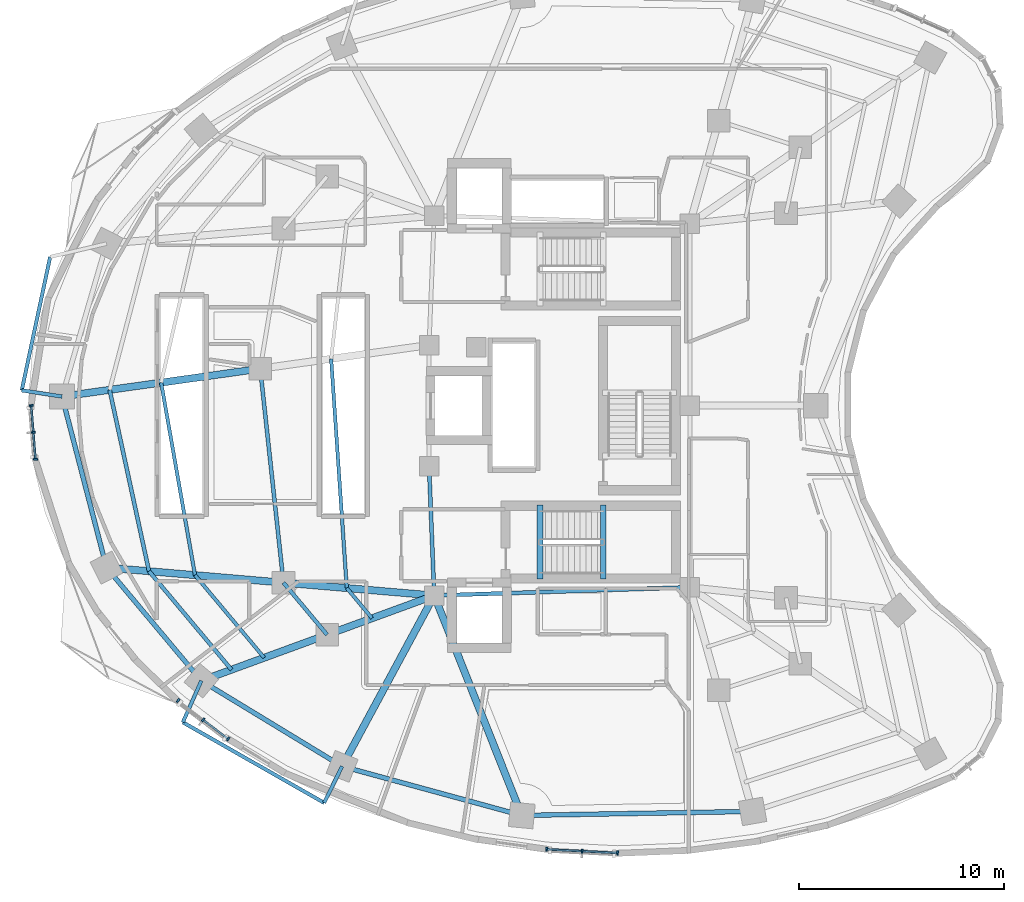
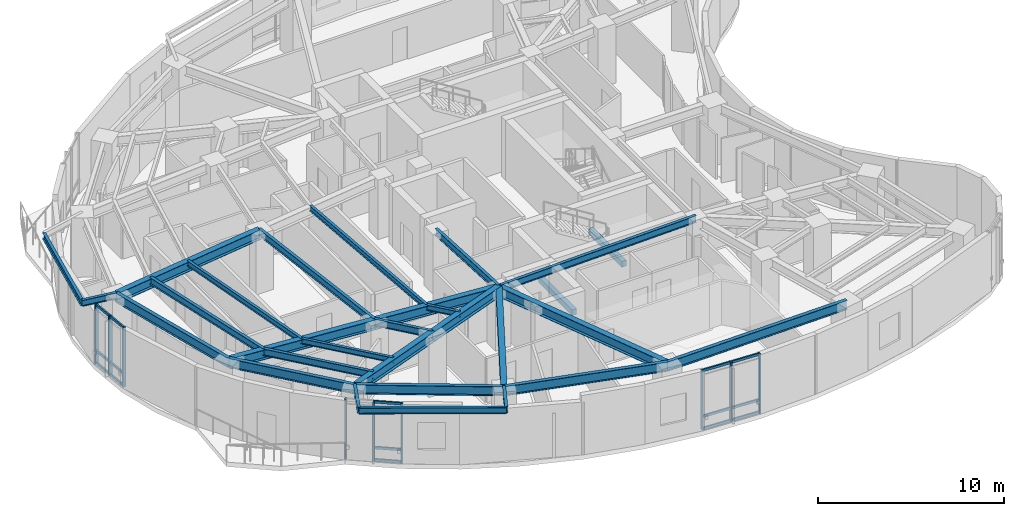
# One storey, part 2 of 15: 29 beams, 24 members, 3 elements without a shape of their own.
"""IFC4 building model written with IfcOpenShell, lengths in metres."""

from ifc_helpers import new_model, si_unit, direction, frame, origin, origin_2d, place, context, subcontext, project, spatial, rectangle, i_section, extrude, material, layer, layer_set, material_profile, profile_set, type_object, element, aggregate, save


model = new_model("IFC4")

# Units and contexts
model_context = context("Model", 3, precision=1e-05, world=origin(), true_north=direction((0.0, 1.0)))
body_context = subcontext(model_context, "Body", "Model", "MODEL_VIEW")
ifc_project = project(units=[si_unit("LENGTHUNIT", "METRE"), si_unit("AREAUNIT", "SQUARE_METRE"), si_unit("VOLUMEUNIT", "CUBIC_METRE"), si_unit("PLANEANGLEUNIT", "RADIAN"), si_unit("MASSUNIT", "GRAM", prefix="KILO")], contexts=[model_context])

# Site, building, storey
site_placement = place(None, origin())
site = spatial("IfcSite", under=ifc_project, at=site_placement, CompositionType="ELEMENT")
building_placement = place(site_placement, origin())
building = spatial("IfcBuilding", under=site, at=building_placement, Name="Korentha Bioscience Tower", CompositionType="ELEMENT")
storey_placement = place(building_placement, frame((0.0, 0.0, 115.199951171875)))
storey = spatial("IfcBuildingStorey", under=building, at=storey_placement, Name="L26", CompositionType="ELEMENT", Elevation=115.199951171875)

# Beams
ifc_material_1 = material(Name="Concrete C50", Category="concrete")
ifc_material_profile_1 = material_profile(ifc_material_1, rectangle(XDim=0.280029296875, YDim=0.3798828125, at=origin_2d()), Name="Concrete C50")
ifc_profile_set_1 = profile_set([ifc_material_profile_1], Name="Concrete C50 (ST-HB380)")
beam_type_1 = type_object("IfcBeamType", Name="Concrete Stair Header Beam RC 280x380", PredefinedType="BEAM", material=ifc_profile_set_1)
for number, where, z_axis, x_axis, name in (
    (1, (30.25, 18.550048828125, -0.18994140625), (0.0, 1.0, 0.0), (-1.0, 0.0, 0.0), "L26 ST-2 Concrete Stair Header Beam"),
    (2, (33.330078125, 18.550048828125, 1.91015625), (0.0, 1.0, 0.0), (-1.0, 0.0, 0.0), "L26 ST-2 Half-Landing Header Beam 1"),
):
    element("IfcBeam", number, at=place(storey_placement, frame(where, z_axis=z_axis, x_axis=x_axis)), inside=storey, type_object=beam_type_1, Name=name, PredefinedType="BEAM", context=body_context, shape_type="SweptSolid", body=[
        extrude(rectangle(XDim=0.280029296875, YDim=0.3798828125, at=origin_2d()), origin(), (0.0, 0.0, 1.0), 3.599853515625),
    ])
ifc_material_2 = material(Name="Steel S355", Category="steel")
ifc_material_profile_2 = material_profile(ifc_material_2, i_section(OverallWidth=0.18994140625, OverallDepth=0.45703125, WebThickness=0.009033203125, FlangeThickness=0.014404296875, at=origin_2d()), Name="Steel S355")
ifc_profile_set_2 = profile_set([ifc_material_profile_2], Name="Steel S355 (MB-460)")
beam_type_2 = type_object("IfcBeamType", Name="Mid-Ring Tie Girder W460x74", PredefinedType="BEAM", material=ifc_profile_set_2)
beam_1_placement = place(storey_placement, frame((16.627197265625, 28.796630859375, 3.671630859375), z_axis=(0.108002632645, -0.994150607977, 0.0), x_axis=(0.994150607977, 0.108002632645, 0.0)))
element("IfcBeam", 3, at=beam_1_placement, inside=storey, type_object=beam_type_2, Name="L26 Mid-Ring Tie Girder 07", PredefinedType="BEAM", context=body_context, shape_type="SweptSolid", body=[
    extrude(i_section(OverallWidth=0.18994140625, OverallDepth=0.45703125, WebThickness=0.009033203125, FlangeThickness=0.014404296875, at=origin_2d()), origin(), (0.0, 0.0, 1.0), 10.48193359375),
])
beam_2_placement = place(storey_placement, frame((17.75927734375, 18.3759765625, 3.671630859375), z_axis=(0.642121371708, -0.766602989817, 0.0), x_axis=(0.766602989817, 0.642121371708, 0.0)))
element("IfcBeam", 4, at=beam_2_placement, inside=storey, type_object=beam_type_2, Name="L26 Mid-Ring Tie Girder 08", PredefinedType="BEAM", context=body_context, shape_type="SweptSolid", body=[
    extrude(i_section(OverallWidth=0.18994140625, OverallDepth=0.45703125, WebThickness=0.009033203125, FlangeThickness=0.014404296875, at=origin_2d()), origin(), (0.0, 0.0, 1.0), 3.306640625),
])
beam_3_placement = place(storey_placement, frame((24.85009765625, 24.050048828125, 3.671630859375), z_axis=(0.039651025576, -0.999213588864, 0.0), x_axis=(0.999213588864, 0.039651025576, 0.0)))
element("IfcBeam", 5, at=beam_3_placement, inside=storey, type_object=beam_type_2, Name="L26 Core Ring Tie Girder 04", PredefinedType="BEAM", context=body_context, shape_type="SweptSolid", body=[
    extrude(i_section(OverallWidth=0.18994140625, OverallDepth=0.45703125, WebThickness=0.009033203125, FlangeThickness=0.014404296875, at=origin_2d()), origin(), (0.0, 0.0, 1.0), 6.304931640625),
])
beam_4_placement = place(storey_placement, frame((25.10009765625, 17.75, 3.671630859375), z_axis=(0.999484526071, 0.032104238723, 0.0), x_axis=(-0.032104238723, 0.999484526071, 0.0)))
element("IfcBeam", 6, at=beam_4_placement, inside=storey, type_object=beam_type_2, Name="L26 Core Ring Tie Girder 05", PredefinedType="BEAM", context=body_context, shape_type="SweptSolid", body=[
    extrude(i_section(OverallWidth=0.18994140625, OverallDepth=0.45703125, WebThickness=0.009033203125, FlangeThickness=0.014404296875, at=origin_2d()), origin(), (0.0, 0.0, 1.0), 12.456298828125),
])

# Curtain wall, members
ifc_material_3 = material(Name="Thermally Broken Aluminium Frame", Category="aluminium")
ifc_layer = layer(ifc_material_3, 0.219970703125, Name="Thermally Broken Aluminium Frame")
ifc_layer_set = layer_set([ifc_layer], Name="Thermally Broken Aluminium Frame (CW-T2)")
curtain_wall_type = type_object("IfcCurtainWallType", Name="Solar-Screened Lab Unitised Curtain Wall CW-T2", PredefinedType="USERDEFINED", material=ifc_layer_set)
curtain_wall_1_placement = place(storey_placement, origin())
curtain_wall_1 = element("IfcCurtainWall", 7, at=curtain_wall_1_placement, inside=storey, type_object=curtain_wall_type, Name="L26 Curtain Wall 19", ObjectType="UNITISED", PredefinedType="USERDEFINED")
ifc_material_4 = material(Name="Anodised Aluminium 6063-T6", Category="aluminium")
ifc_material_profile_3 = material_profile(ifc_material_4, rectangle(XDim=0.090087890625, YDim=0.199951171875, at=origin_2d()), Name="Anodised Aluminium 6063-T6")
ifc_profile_set_3 = profile_set([ifc_material_profile_3], Name="Anodised Aluminium 6063-T6 (CW-MUL)")
member_type_1 = type_object("IfcMemberType", Name="Mullion RECT 90x200", PredefinedType="MULLION", material=ifc_profile_set_3)
member_1_placement = place(storey_placement, frame((5.473876953125, 27.0078125, 0.0), z_axis=(0.0, 0.0, 1.0), x_axis=(0.079130214674, -0.996864288219, 0.0)))
member_1 = element("IfcMember", 8, at=member_1_placement, type_object=member_type_1, Name="CW-L26-19 Mullion 1", PredefinedType="MULLION", context=body_context, shape_type="SweptSolid", body=[
    extrude(rectangle(XDim=0.090087890625, YDim=0.199951171875, at=origin_2d()), origin(), (0.0, 0.0, 1.0), 3.900146484375),
])
member_2_placement = place(storey_placement, frame((5.577880859375, 25.6962890625, 0.0), z_axis=(0.0, 0.0, 1.0), x_axis=(0.079130214674, -0.996864288219, 0.0)))
member_2 = element("IfcMember", 9, at=member_2_placement, type_object=member_type_1, Name="CW-L26-19 Mullion 2", PredefinedType="MULLION", context=body_context, shape_type="SweptSolid", body=[
    extrude(rectangle(XDim=0.090087890625, YDim=0.199951171875, at=origin_2d()), origin(), (0.0, 0.0, 1.0), 3.900146484375),
])
member_3_placement = place(storey_placement, frame((5.681884765625, 24.38525390625, 0.0), z_axis=(0.0, 0.0, 1.0), x_axis=(0.079130214674, -0.996864288219, 0.0)))
member_3 = element("IfcMember", 10, at=member_3_placement, type_object=member_type_1, Name="CW-L26-19 Mullion 3", PredefinedType="MULLION", context=body_context, shape_type="SweptSolid", body=[
    extrude(rectangle(XDim=0.090087890625, YDim=0.199951171875, at=origin_2d()), origin(), (0.0, 0.0, 1.0), 3.900146484375),
])

curtain_wall_2_placement = place(storey_placement, origin())
curtain_wall_2 = element("IfcCurtainWall", 11, at=curtain_wall_2_placement, inside=storey, type_object=curtain_wall_type, Name="L26 Curtain Wall 25", ObjectType="UNITISED", PredefinedType="USERDEFINED")
member_4_placement = place(storey_placement, frame((12.624267578125, 12.62890625, 0.0), z_axis=(0.0, 0.0, 1.0), x_axis=(0.794499603893, -0.607264669986, 0.0)))
member_4 = element("IfcMember", 12, at=member_4_placement, type_object=member_type_1, Name="CW-L26-25 Mullion 1", PredefinedType="MULLION", context=body_context, shape_type="SweptSolid", body=[
    extrude(rectangle(XDim=0.090087890625, YDim=0.199951171875, at=origin_2d()), origin(), (0.0, 0.0, 1.0), 3.900146484375),
])
member_5_placement = place(storey_placement, frame((13.844970703125, 11.69580078125, 0.0), z_axis=(0.0, 0.0, 1.0), x_axis=(0.794499603893, -0.607264669986, 0.0)))
member_5 = element("IfcMember", 13, at=member_5_placement, type_object=member_type_1, Name="CW-L26-25 Mullion 2", PredefinedType="MULLION", context=body_context, shape_type="SweptSolid", body=[
    extrude(rectangle(XDim=0.090087890625, YDim=0.199951171875, at=origin_2d()), origin(), (0.0, 0.0, 1.0), 3.900146484375),
])
member_6_placement = place(storey_placement, frame((15.0654296875, 10.7626953125, 0.0), z_axis=(0.0, 0.0, 1.0), x_axis=(0.794499603893, -0.607264669986, 0.0)))
member_6 = element("IfcMember", 14, at=member_6_placement, type_object=member_type_1, Name="CW-L26-25 Mullion 3", PredefinedType="MULLION", context=body_context, shape_type="SweptSolid", body=[
    extrude(rectangle(XDim=0.090087890625, YDim=0.199951171875, at=origin_2d()), origin(), (0.0, 0.0, 1.0), 3.900146484375),
])

curtain_wall_3_placement = place(storey_placement, origin())
curtain_wall_3 = element("IfcCurtainWall", 15, at=curtain_wall_3_placement, inside=storey, type_object=curtain_wall_type, Name="L26 Curtain Wall 31", ObjectType="UNITISED", PredefinedType="USERDEFINED")
member_7_placement = place(storey_placement, frame((30.571533203125, 5.39111328125, 0.0), z_axis=(0.0, 0.0, 1.0), x_axis=(0.998673231344, -0.051495407527, 0.0)))
member_7 = element("IfcMember", 16, at=member_7_placement, type_object=member_type_1, Name="CW-L26-31 Mullion 1", PredefinedType="MULLION", context=body_context, shape_type="SweptSolid", body=[
    extrude(rectangle(XDim=0.090087890625, YDim=0.199951171875, at=origin_2d()), origin(), (0.0, 0.0, 1.0), 3.900146484375),
])
member_8_placement = place(storey_placement, frame((32.301025390625, 5.302001953125, 0.0), z_axis=(0.0, 0.0, 1.0), x_axis=(0.998673231344, -0.051495407527, 0.0)))
member_8 = element("IfcMember", 17, at=member_8_placement, type_object=member_type_1, Name="CW-L26-31 Mullion 2", PredefinedType="MULLION", context=body_context, shape_type="SweptSolid", body=[
    extrude(rectangle(XDim=0.090087890625, YDim=0.199951171875, at=origin_2d()), origin(), (0.0, 0.0, 1.0), 3.900146484375),
])
member_9_placement = place(storey_placement, frame((34.03076171875, 5.212646484375, 0.0), z_axis=(0.0, 0.0, 1.0), x_axis=(0.998673231344, -0.051495407527, 0.0)))
member_9 = element("IfcMember", 18, at=member_9_placement, type_object=member_type_1, Name="CW-L26-31 Mullion 3", PredefinedType="MULLION", context=body_context, shape_type="SweptSolid", body=[
    extrude(rectangle(XDim=0.090087890625, YDim=0.199951171875, at=origin_2d()), origin(), (0.0, 0.0, 1.0), 3.900146484375),
])

# Beams
ifc_material_profile_4 = material_profile(ifc_material_2, i_section(OverallWidth=0.22802734375, OverallDepth=0.60791015625, WebThickness=0.01123046875, FlangeThickness=0.017333984375, at=origin_2d()), Name="Steel S355")
ifc_profile_set_4 = profile_set([ifc_material_profile_4], Name="Steel S355 (SB-610)")
beam_type_3 = type_object("IfcBeamType", Name="Perimeter Ring Spandrel Girder W610x113", PredefinedType="SPANDREL", material=ifc_profile_set_4)
beam_5_placement = place(storey_placement, frame((6.97412109375, 27.4423828125, 3.595947265625), z_axis=(0.251792692694, -0.96778119423, 0.0), x_axis=(0.96778119423, 0.251792692694, 0.0)))
element("IfcBeam", 19, at=beam_5_placement, inside=storey, type_object=beam_type_3, Name="L26 Perimeter Spandrel Girder 07", PredefinedType="SPANDREL", context=body_context, shape_type="SweptSolid", body=[
    extrude(i_section(OverallWidth=0.22802734375, OverallDepth=0.60791015625, WebThickness=0.01123046875, FlangeThickness=0.017333984375, at=origin_2d()), origin(), (0.0, 0.0, 1.0), 8.609130859375),
])
beam_6_placement = place(storey_placement, frame((9.141845703125, 19.110595703125, 3.595947265625), z_axis=(0.642126556076, -0.76659864726, 0.0), x_axis=(0.76659864726, 0.642126556076, 0.0)))
element("IfcBeam", 20, at=beam_6_placement, inside=storey, type_object=beam_type_3, Name="L26 Perimeter Spandrel Girder 08", PredefinedType="SPANDREL", context=body_context, shape_type="SweptSolid", body=[
    extrude(i_section(OverallWidth=0.22802734375, OverallDepth=0.60791015625, WebThickness=0.01123046875, FlangeThickness=0.017333984375, at=origin_2d()), origin(), (0.0, 0.0, 1.0), 7.1884765625),
])
beam_7_placement = place(storey_placement, frame((13.7578125, 13.599853515625, 3.595947265625), z_axis=(0.854461040474, -0.51951547649, 0.0), x_axis=(0.51951547649, 0.854461040474, 0.0)))
element("IfcBeam", 21, at=beam_7_placement, inside=storey, type_object=beam_type_3, Name="L26 Perimeter Spandrel Girder 09", PredefinedType="SPANDREL", context=body_context, shape_type="SweptSolid", body=[
    extrude(i_section(OverallWidth=0.22802734375, OverallDepth=0.60791015625, WebThickness=0.01123046875, FlangeThickness=0.017333984375, at=origin_2d()), origin(), (0.0, 0.0, 1.0), 8.025146484375),
])
beam_8_placement = place(storey_placement, frame((20.614990234375, 9.4306640625, 3.595947265625), z_axis=(0.964659386444, -0.263500034431, 0.0), x_axis=(0.263500034431, 0.964659386444, 0.0)))
element("IfcBeam", 22, at=beam_8_placement, inside=storey, type_object=beam_type_3, Name="L26 Perimeter Spandrel Girder 10", PredefinedType="SPANDREL", context=body_context, shape_type="SweptSolid", body=[
    extrude(i_section(OverallWidth=0.22802734375, OverallDepth=0.60791015625, WebThickness=0.01123046875, FlangeThickness=0.017333984375, at=origin_2d()), origin(), (0.0, 0.0, 1.0), 9.06982421875),
])
beam_9_placement = place(storey_placement, frame((29.3642578125, 7.040771484375, 3.595947265625), z_axis=(0.999850566826, 0.017287105523, 0.0), x_axis=(-0.017287105523, 0.999850566826, 0.0)))
element("IfcBeam", 23, at=beam_9_placement, inside=storey, type_object=beam_type_3, Name="L26 Perimeter Spandrel Girder 11", PredefinedType="SPANDREL", context=body_context, shape_type="SweptSolid", body=[
    extrude(i_section(OverallWidth=0.22802734375, OverallDepth=0.60791015625, WebThickness=0.01123046875, FlangeThickness=0.017333984375, at=origin_2d()), origin(), (0.0, 0.0, 1.0), 11.24169921875),
])
ifc_material_profile_5 = material_profile(ifc_material_2, i_section(OverallWidth=0.18994140625, OverallDepth=0.45703125, WebThickness=0.009033203125, FlangeThickness=0.014404296875, at=origin_2d()), Name="Steel S355")
ifc_profile_set_5 = profile_set([ifc_material_profile_5], Name="Steel S355 (RB-460)")
beam_type_4 = type_object("IfcBeamType", Name="Radial Laboratory Beam W460x74", PredefinedType="BEAM", material=ifc_profile_set_5)
beam_10_placement = place(storey_placement, frame((9.291015625, 27.767578125, 3.671630859375), z_axis=(0.212289478944, -0.977206824132, 0.0), x_axis=(0.977206824132, 0.212289478944, 0.0)))
element("IfcBeam", 24, at=beam_10_placement, inside=storey, type_object=beam_type_4, Name="L26 Secondary Floor Beam JSTO-07", PredefinedType="BEAM", context=body_context, shape_type="SweptSolid", body=[
    extrude(i_section(OverallWidth=0.18994140625, OverallDepth=0.45703125, WebThickness=0.009033203125, FlangeThickness=0.014404296875, at=origin_2d()), origin(), (0.0, 0.0, 1.0), 9.039306640625),
])
beam_11_placement = place(storey_placement, frame((11.2099609375, 18.934326171875, 3.671630859375), z_axis=(0.642128156066, -0.766597307057, 0.0), x_axis=(0.766597307057, 0.642128156066, 0.0)))
element("IfcBeam", 25, at=beam_11_placement, inside=storey, type_object=beam_type_4, Name="L26 Secondary Floor Beam JSTO-08", PredefinedType="BEAM", context=body_context, shape_type="SweptSolid", body=[
    extrude(i_section(OverallWidth=0.18994140625, OverallDepth=0.45703125, WebThickness=0.009033203125, FlangeThickness=0.014404296875, at=origin_2d()), origin(), (0.0, 0.0, 1.0), 6.257080078125),
])
ifc_material_profile_6 = material_profile(ifc_material_2, i_section(OverallWidth=0.35009765625, OverallDepth=0.64990234375, WebThickness=0.01611328125, FlangeThickness=0.02490234375, at=origin_2d()), Name="Steel S355")
ifc_profile_set_6 = profile_set([ifc_material_profile_6], Name="Steel S355 (RB-650)")
beam_type_5 = type_object("IfcBeamType", Name="Radial Laboratory Girder CVS 650x208", PredefinedType="BEAM", material=ifc_profile_set_6)
beam_12_placement = place(storey_placement, frame((16.627197265625, 28.796630859375, 3.574951171875), z_axis=(-0.99030201931, -0.138931315944, 0.0), x_axis=(0.138931315944, -0.99030201931, 0.0)))
element("IfcBeam", 26, at=beam_12_placement, inside=storey, type_object=beam_type_5, Name="L26 Outer Radial Girder 07", PredefinedType="BEAM", context=body_context, shape_type="SweptSolid", body=[
    extrude(i_section(OverallWidth=0.35009765625, OverallDepth=0.64990234375, WebThickness=0.01611328125, FlangeThickness=0.02490234375, at=origin_2d()), origin(), (0.0, 0.0, 1.0), 9.74755859375),
])
beam_13_placement = place(storey_placement, frame((25.10009765625, 17.75, 3.574951171875), z_axis=(-0.996383934197, 0.084965026183, 0.0), x_axis=(-0.084965026183, -0.996383934197, 0.0)))
element("IfcBeam", 27, at=beam_13_placement, inside=storey, type_object=beam_type_5, Name="L26 Inner Radial Girder 08", PredefinedType="BEAM", context=body_context, shape_type="SweptSolid", body=[
    extrude(i_section(OverallWidth=0.35009765625, OverallDepth=0.64990234375, WebThickness=0.01611328125, FlangeThickness=0.02490234375, at=origin_2d()), origin(), (0.0, 0.0, 1.0), 7.367431640625),
])
beam_14_placement = place(storey_placement, frame((17.75927734375, 18.3759765625, 3.574951171875), z_axis=(-0.996386071548, 0.084939957767, 0.0), x_axis=(-0.084939957767, -0.996386071548, 0.0)))
element("IfcBeam", 28, at=beam_14_placement, inside=storey, type_object=beam_type_5, Name="L26 Outer Radial Girder 08", PredefinedType="BEAM", context=body_context, shape_type="SweptSolid", body=[
    extrude(i_section(OverallWidth=0.35009765625, OverallDepth=0.64990234375, WebThickness=0.01611328125, FlangeThickness=0.02490234375, at=origin_2d()), origin(), (0.0, 0.0, 1.0), 8.648681640625),
])
beam_15_placement = place(storey_placement, frame((25.10009765625, 17.75, 3.574951171875), z_axis=(-0.939118010396, -0.343594765022, 0.0), x_axis=(0.343594765022, -0.939118010396, 0.0)))
element("IfcBeam", 29, at=beam_15_placement, inside=storey, type_object=beam_type_5, Name="L26 Inner Radial Girder 09", PredefinedType="BEAM", context=body_context, shape_type="SweptSolid", body=[
    extrude(i_section(OverallWidth=0.35009765625, OverallDepth=0.64990234375, WebThickness=0.01611328125, FlangeThickness=0.02490234375, at=origin_2d()), origin(), (0.0, 0.0, 1.0), 5.5556640625),
])
beam_16_placement = place(storey_placement, frame((19.882568359375, 15.841064453125, 3.574951171875), z_axis=(-0.939100755225, -0.343641923425, 0.0), x_axis=(0.343641923425, -0.939100755225, 0.0)))
element("IfcBeam", 30, at=beam_16_placement, inside=storey, type_object=beam_type_5, Name="L26 Outer Radial Girder 09", PredefinedType="BEAM", context=body_context, shape_type="SweptSolid", body=[
    extrude(i_section(OverallWidth=0.35009765625, OverallDepth=0.64990234375, WebThickness=0.01611328125, FlangeThickness=0.02490234375, at=origin_2d()), origin(), (0.0, 0.0, 1.0), 6.52197265625),
])
beam_17_placement = place(storey_placement, frame((25.10009765625, 17.75, 3.574951171875), z_axis=(-0.474548018732, -0.880229616587, 0.0), x_axis=(0.880229616587, -0.474548018732, 0.0)))
element("IfcBeam", 31, at=beam_17_placement, inside=storey, type_object=beam_type_5, Name="L26 Radial Girder 10", PredefinedType="BEAM", context=body_context, shape_type="SweptSolid", body=[
    extrude(i_section(OverallWidth=0.35009765625, OverallDepth=0.64990234375, WebThickness=0.01611328125, FlangeThickness=0.02490234375, at=origin_2d()), origin(), (0.0, 0.0, 1.0), 9.451416015625),
])
beam_18_placement = place(storey_placement, frame((25.10009765625, 17.75, 3.574951171875), z_axis=(0.369929528493, -0.929059817207, 0.0), x_axis=(0.929059817207, 0.369929528493, 0.0)))
element("IfcBeam", 32, at=beam_18_placement, inside=storey, type_object=beam_type_5, Name="L26 Radial Girder 11", PredefinedType="BEAM", context=body_context, shape_type="SweptSolid", body=[
    extrude(i_section(OverallWidth=0.35009765625, OverallDepth=0.64990234375, WebThickness=0.01611328125, FlangeThickness=0.02490234375, at=origin_2d()), origin(), (0.0, 0.0, 1.0), 11.52685546875),
])
ifc_material_profile_7 = material_profile(ifc_material_2, i_section(OverallWidth=0.1708984375, OverallDepth=0.35498046875, WebThickness=0.007080078125, FlangeThickness=0.01171875, at=origin_2d()), Name="Steel S355")
ifc_profile_set_7 = profile_set([ifc_material_profile_7], Name="Steel S355 (JB-360)")
beam_type_6 = type_object("IfcBeamType", Name="Secondary Laboratory Joist W360x51", PredefinedType="JOIST", material=ifc_profile_set_7)
beam_19_placement = place(storey_placement, frame((11.800537109375, 28.11962890625, 3.72265625), z_axis=(0.173304009699, -0.984868377105, 0.0), x_axis=(0.984868377105, 0.173304009699, 0.0)))
element("IfcBeam", 33, at=beam_19_placement, inside=storey, type_object=beam_type_6, Name="L26 Secondary Floor Beam JST-07", PredefinedType="JOIST", context=body_context, shape_type="SweptSolid", body=[
    extrude(i_section(OverallWidth=0.1708984375, OverallDepth=0.35498046875, WebThickness=0.007080078125, FlangeThickness=0.01171875, at=origin_2d()), origin(), (0.0, 0.0, 1.0), 9.520263671875),
])
beam_20_placement = place(storey_placement, frame((20.080810546875, 29.281005859375, 3.72265625), z_axis=(0.068025861704, -0.997683558118, 0.0), x_axis=(0.997683558118, 0.068025861704, 0.0)))
element("IfcBeam", 34, at=beam_20_placement, inside=storey, type_object=beam_type_6, Name="L26 Inner Bay Joist 07", PredefinedType="JOIST", context=body_context, shape_type="SweptSolid", body=[
    extrude(i_section(OverallWidth=0.1708984375, OverallDepth=0.35498046875, WebThickness=0.007080078125, FlangeThickness=0.01171875, at=origin_2d()), origin(), (0.0, 0.0, 1.0), 11.19384765625),
])
beam_21_placement = place(storey_placement, frame((13.450439453125, 18.743408203125, 3.72265625), z_axis=(0.642140812018, -0.76658670582, 0.0), x_axis=(0.76658670582, 0.642140812018, 0.0)))
element("IfcBeam", 35, at=beam_21_placement, inside=storey, type_object=beam_type_6, Name="L26 Secondary Floor Beam JST-08", PredefinedType="JOIST", context=body_context, shape_type="SweptSolid", body=[
    extrude(i_section(OverallWidth=0.1708984375, OverallDepth=0.35498046875, WebThickness=0.007080078125, FlangeThickness=0.01171875, at=origin_2d()), origin(), (0.0, 0.0, 1.0), 5.247802734375),
])
beam_22_placement = place(storey_placement, frame((20.84228515625, 18.113037109375, 3.72265625), z_axis=(0.64218549873, -0.766549271229, 0.0), x_axis=(0.766549271229, 0.64218549873, 0.0)))
element("IfcBeam", 36, at=beam_22_placement, inside=storey, type_object=beam_type_6, Name="L26 Inner Bay Joist 08", PredefinedType="JOIST", context=body_context, shape_type="SweptSolid", body=[
    extrude(i_section(OverallWidth=0.1708984375, OverallDepth=0.35498046875, WebThickness=0.007080078125, FlangeThickness=0.01171875, at=origin_2d()), origin(), (0.0, 0.0, 1.0), 1.91796875),
])
ifc_material_profile_8 = material_profile(ifc_material_2, i_section(OverallWidth=0.177978515625, OverallDepth=0.406982421875, WebThickness=0.0078125, FlangeThickness=0.0126953125, at=origin_2d()), Name="Steel S355")
ifc_profile_set_8 = profile_set([ifc_material_profile_8], Name="Steel S355 (CB-410)")
beam_type_7 = type_object("IfcBeamType", Name="Sun-Ledge Cantilever Beam W410x60", PredefinedType="BEAM", material=ifc_profile_set_8)
beam_23_placement = place(storey_placement, frame((6.97412109375, 27.4423828125, 3.698486328125), z_axis=(-0.988449844693, 0.151548357058, 0.0), x_axis=(-0.151548357058, -0.988449844693, 0.0)))
element("IfcBeam", 37, at=beam_23_placement, inside=storey, type_object=beam_type_7, Name="L26 Balcony Cantilever Bracket B-L27-02", PredefinedType="BEAM", context=body_context, shape_type="SweptSolid", body=[
    extrude(i_section(OverallWidth=0.177978515625, OverallDepth=0.406982421875, WebThickness=0.0078125, FlangeThickness=0.0126953125, at=origin_2d()), origin(), (0.0, 0.0, 1.0), 1.983154296875),
])
beam_24_placement = place(storey_placement, frame((6.396240234375, 34.241943359375, 3.698486328125), z_axis=(-0.208043322496, -0.978119612299, 0.0), x_axis=(0.978119612299, -0.208043322496, 0.0)))
element("IfcBeam", 38, at=beam_24_placement, inside=storey, type_object=beam_type_7, Name="L26 Balcony Edge Trimmer Beam L27-02", PredefinedType="BEAM", context=body_context, shape_type="SweptSolid", body=[
    extrude(i_section(OverallWidth=0.177978515625, OverallDepth=0.406982421875, WebThickness=0.0078125, FlangeThickness=0.0126953125, at=origin_2d()), origin(), (0.0, 0.0, 1.0), 6.644287109375),
])
beam_25_placement = place(storey_placement, frame((13.7578125, 13.599853515625, 3.698486328125), z_axis=(-0.405872529473, -0.913929696322, 0.0), x_axis=(0.913929696322, -0.405872529473, 0.0)))
element("IfcBeam", 39, at=beam_25_placement, inside=storey, type_object=beam_type_7, Name="L26 Balcony Cantilever Bracket A-L27-03", PredefinedType="BEAM", context=body_context, shape_type="SweptSolid", body=[
    extrude(i_section(OverallWidth=0.177978515625, OverallDepth=0.406982421875, WebThickness=0.0078125, FlangeThickness=0.0126953125, at=origin_2d()), origin(), (0.0, 0.0, 1.0), 2.21484375),
])
beam_26_placement = place(storey_placement, frame((20.614990234375, 9.4306640625, 3.698486328125), z_axis=(-0.442573573107, -0.896732196582, 0.0), x_axis=(0.896732196582, -0.442573573107, 0.0)))
element("IfcBeam", 40, at=beam_26_placement, inside=storey, type_object=beam_type_7, Name="L26 Balcony Cantilever Bracket B-L27-03", PredefinedType="BEAM", context=body_context, shape_type="SweptSolid", body=[
    extrude(i_section(OverallWidth=0.177978515625, OverallDepth=0.406982421875, WebThickness=0.0078125, FlangeThickness=0.0126953125, at=origin_2d()), origin(), (0.0, 0.0, 1.0), 1.98095703125),
])
beam_27_placement = place(storey_placement, frame((12.85888671875, 11.57568359375, 3.698486328125), z_axis=(0.868770107345, -0.495215610198, 0.0), x_axis=(0.495215610198, 0.868770107345, 0.0)))
element("IfcBeam", 41, at=beam_27_placement, inside=storey, type_object=beam_type_7, Name="L26 Balcony Edge Trimmer Beam L27-03", PredefinedType="BEAM", context=body_context, shape_type="SweptSolid", body=[
    extrude(i_section(OverallWidth=0.177978515625, OverallDepth=0.406982421875, WebThickness=0.0078125, FlangeThickness=0.0126953125, at=origin_2d()), origin(), (0.0, 0.0, 1.0), 7.91845703125),
])

# Member
ifc_material_profile_9 = material_profile(ifc_material_4, rectangle(XDim=0.090087890625, YDim=0.159912109375, at=origin_2d()), Name="Anodised Aluminium 6063-T6")
ifc_profile_set_9 = profile_set([ifc_material_profile_9], Name="Anodised Aluminium 6063-T6 (CW-TRN)")
member_type_2 = type_object("IfcMemberType", Name="Transom RECT 90x160", PredefinedType="USERDEFINED", material=ifc_profile_set_9)
member_10_placement = place(storey_placement, frame((5.477294921875, 26.962890625, 0.045166015625), z_axis=(0.079285983344, -0.996851911191, 0.0), x_axis=(0.996851911191, 0.079285983344, 0.0)))
member_10 = element("IfcMember", 42, at=member_10_placement, type_object=member_type_2, Name="CW-L26-19 Bay 1 Transom 1", ObjectType="TRANSOM", PredefinedType="USERDEFINED", context=body_context, shape_type="SweptSolid", body=[
    extrude(rectangle(XDim=0.090087890625, YDim=0.159912109375, at=origin_2d()), origin(), (0.0, 0.0, 1.0), 1.2255859375),
])

member_11_placement = place(storey_placement, frame((5.477294921875, 26.962890625, 0.85009765625), z_axis=(0.079285983344, -0.996851911191, 0.0), x_axis=(0.996851911191, 0.079285983344, 0.0)))
member_11 = element("IfcMember", 43, at=member_11_placement, type_object=member_type_2, Name="CW-L26-19 Bay 1 Transom 2", ObjectType="TRANSOM", PredefinedType="USERDEFINED", context=body_context, shape_type="SweptSolid", body=[
    extrude(rectangle(XDim=0.090087890625, YDim=0.159912109375, at=origin_2d()), origin(), (0.0, 0.0, 1.0), 1.2255859375),
])

member_12_placement = place(storey_placement, frame((5.477294921875, 26.962890625, 3.85498046875), z_axis=(0.079285983344, -0.996851911191, 0.0), x_axis=(0.996851911191, 0.079285983344, 0.0)))
member_12 = element("IfcMember", 44, at=member_12_placement, type_object=member_type_2, Name="CW-L26-19 Bay 1 Transom 3", ObjectType="TRANSOM", PredefinedType="USERDEFINED", context=body_context, shape_type="SweptSolid", body=[
    extrude(rectangle(XDim=0.090087890625, YDim=0.159912109375, at=origin_2d()), origin(), (0.0, 0.0, 1.0), 1.2255859375),
])

member_13_placement = place(storey_placement, frame((5.58154296875, 25.651611328125, 0.045166015625), z_axis=(0.079088019938, -0.996867636701, 0.0), x_axis=(0.996867636701, 0.079088019938, 0.0)))
member_13 = element("IfcMember", 45, at=member_13_placement, type_object=member_type_2, Name="CW-L26-19 Bay 2 Transom 1", ObjectType="TRANSOM", PredefinedType="USERDEFINED", context=body_context, shape_type="SweptSolid", body=[
    extrude(rectangle(XDim=0.090087890625, YDim=0.159912109375, at=origin_2d()), origin(), (0.0, 0.0, 1.0), 1.2255859375),
])

member_14_placement = place(storey_placement, frame((5.58154296875, 25.651611328125, 0.85009765625), z_axis=(0.079088019938, -0.996867636701, 0.0), x_axis=(0.996867636701, 0.079088019938, 0.0)))
member_14 = element("IfcMember", 46, at=member_14_placement, type_object=member_type_2, Name="CW-L26-19 Bay 2 Transom 2", ObjectType="TRANSOM", PredefinedType="USERDEFINED", context=body_context, shape_type="SweptSolid", body=[
    extrude(rectangle(XDim=0.090087890625, YDim=0.159912109375, at=origin_2d()), origin(), (0.0, 0.0, 1.0), 1.2255859375),
])

member_15_placement = place(storey_placement, frame((5.58154296875, 25.651611328125, 3.85498046875), z_axis=(0.079088019938, -0.996867636701, 0.0), x_axis=(0.996867636701, 0.079088019938, 0.0)))
member_15 = element("IfcMember", 47, at=member_15_placement, type_object=member_type_2, Name="CW-L26-19 Bay 2 Transom 3", ObjectType="TRANSOM", PredefinedType="USERDEFINED", context=body_context, shape_type="SweptSolid", body=[
    extrude(rectangle(XDim=0.090087890625, YDim=0.159912109375, at=origin_2d()), origin(), (0.0, 0.0, 1.0), 1.2255859375),
])

aggregate(curtain_wall_1, [member_1, member_2, member_3, member_10, member_11, member_12, member_13, member_14, member_15])

member_16_placement = place(storey_placement, frame((13.880615234375, 11.66845703125, 0.045166015625), z_axis=(0.794477589546, -0.607293470828, 0.0), x_axis=(0.607293470828, 0.794477589546, 0.0)))
member_16 = element("IfcMember", 48, at=member_16_placement, type_object=member_type_2, Name="CW-L26-25 Bay 2 Transom 1", ObjectType="TRANSOM", PredefinedType="USERDEFINED", context=body_context, shape_type="SweptSolid", body=[
    extrude(rectangle(XDim=0.090087890625, YDim=0.159912109375, at=origin_2d()), origin(), (0.0, 0.0, 1.0), 1.446533203125),
])

member_17_placement = place(storey_placement, frame((13.880615234375, 11.66845703125, 0.85009765625), z_axis=(0.794477589546, -0.607293470828, 0.0), x_axis=(0.607293470828, 0.794477589546, 0.0)))
member_17 = element("IfcMember", 49, at=member_17_placement, type_object=member_type_2, Name="CW-L26-25 Bay 2 Transom 2", ObjectType="TRANSOM", PredefinedType="USERDEFINED", context=body_context, shape_type="SweptSolid", body=[
    extrude(rectangle(XDim=0.090087890625, YDim=0.159912109375, at=origin_2d()), origin(), (0.0, 0.0, 1.0), 1.446533203125),
])

member_18_placement = place(storey_placement, frame((13.880615234375, 11.66845703125, 3.85498046875), z_axis=(0.794477589546, -0.607293470828, 0.0), x_axis=(0.607293470828, 0.794477589546, 0.0)))
member_18 = element("IfcMember", 50, at=member_18_placement, type_object=member_type_2, Name="CW-L26-25 Bay 2 Transom 3", ObjectType="TRANSOM", PredefinedType="USERDEFINED", context=body_context, shape_type="SweptSolid", body=[
    extrude(rectangle(XDim=0.090087890625, YDim=0.159912109375, at=origin_2d()), origin(), (0.0, 0.0, 1.0), 1.446533203125),
])

aggregate(curtain_wall_2, [member_4, member_5, member_6, member_16, member_17, member_18])

member_19_placement = place(storey_placement, frame((30.616455078125, 5.388916015625, 0.045166015625), z_axis=(0.998667892989, -0.05159883247, 0.0), x_axis=(0.05159883247, 0.998667892989, 0.0)))
member_19 = element("IfcMember", 51, at=member_19_placement, type_object=member_type_2, Name="CW-L26-31 Bay 1 Transom 1", ObjectType="TRANSOM", PredefinedType="USERDEFINED", context=body_context, shape_type="SweptSolid", body=[
    extrude(rectangle(XDim=0.090087890625, YDim=0.159912109375, at=origin_2d()), origin(), (0.0, 0.0, 1.0), 1.641845703125),
])

member_20_placement = place(storey_placement, frame((30.616455078125, 5.388916015625, 0.85009765625), z_axis=(0.998667892989, -0.05159883247, 0.0), x_axis=(0.05159883247, 0.998667892989, 0.0)))
member_20 = element("IfcMember", 52, at=member_20_placement, type_object=member_type_2, Name="CW-L26-31 Bay 1 Transom 2", ObjectType="TRANSOM", PredefinedType="USERDEFINED", context=body_context, shape_type="SweptSolid", body=[
    extrude(rectangle(XDim=0.090087890625, YDim=0.159912109375, at=origin_2d()), origin(), (0.0, 0.0, 1.0), 1.641845703125),
])

member_21_placement = place(storey_placement, frame((30.616455078125, 5.388916015625, 3.85498046875), z_axis=(0.998667892989, -0.05159883247, 0.0), x_axis=(0.05159883247, 0.998667892989, 0.0)))
member_21 = element("IfcMember", 53, at=member_21_placement, type_object=member_type_2, Name="CW-L26-31 Bay 1 Transom 3", ObjectType="TRANSOM", PredefinedType="USERDEFINED", context=body_context, shape_type="SweptSolid", body=[
    extrude(rectangle(XDim=0.090087890625, YDim=0.159912109375, at=origin_2d()), origin(), (0.0, 0.0, 1.0), 1.641845703125),
])

member_22_placement = place(storey_placement, frame((32.345947265625, 5.299560546875, 0.045166015625), z_axis=(0.998675544552, -0.051450526863, 0.0), x_axis=(0.051450526863, 0.998675544552, 0.0)))
member_22 = element("IfcMember", 54, at=member_22_placement, type_object=member_type_2, Name="CW-L26-31 Bay 2 Transom 1", ObjectType="TRANSOM", PredefinedType="USERDEFINED", context=body_context, shape_type="SweptSolid", body=[
    extrude(rectangle(XDim=0.090087890625, YDim=0.159912109375, at=origin_2d()), origin(), (0.0, 0.0, 1.0), 1.641845703125),
])

member_23_placement = place(storey_placement, frame((32.345947265625, 5.299560546875, 0.85009765625), z_axis=(0.998675544552, -0.051450526863, 0.0), x_axis=(0.051450526863, 0.998675544552, 0.0)))
member_23 = element("IfcMember", 55, at=member_23_placement, type_object=member_type_2, Name="CW-L26-31 Bay 2 Transom 2", ObjectType="TRANSOM", PredefinedType="USERDEFINED", context=body_context, shape_type="SweptSolid", body=[
    extrude(rectangle(XDim=0.090087890625, YDim=0.159912109375, at=origin_2d()), origin(), (0.0, 0.0, 1.0), 1.641845703125),
])

member_24_placement = place(storey_placement, frame((32.345947265625, 5.299560546875, 3.85498046875), z_axis=(0.998675544552, -0.051450526863, 0.0), x_axis=(0.051450526863, 0.998675544552, 0.0)))
member_24 = element("IfcMember", 56, at=member_24_placement, type_object=member_type_2, Name="CW-L26-31 Bay 2 Transom 3", ObjectType="TRANSOM", PredefinedType="USERDEFINED", context=body_context, shape_type="SweptSolid", body=[
    extrude(rectangle(XDim=0.090087890625, YDim=0.159912109375, at=origin_2d()), origin(), (0.0, 0.0, 1.0), 1.641845703125),
])

aggregate(curtain_wall_3, [member_7, member_8, member_9, member_19, member_20, member_21, member_22, member_23, member_24])

save(model, "model.ifc")
